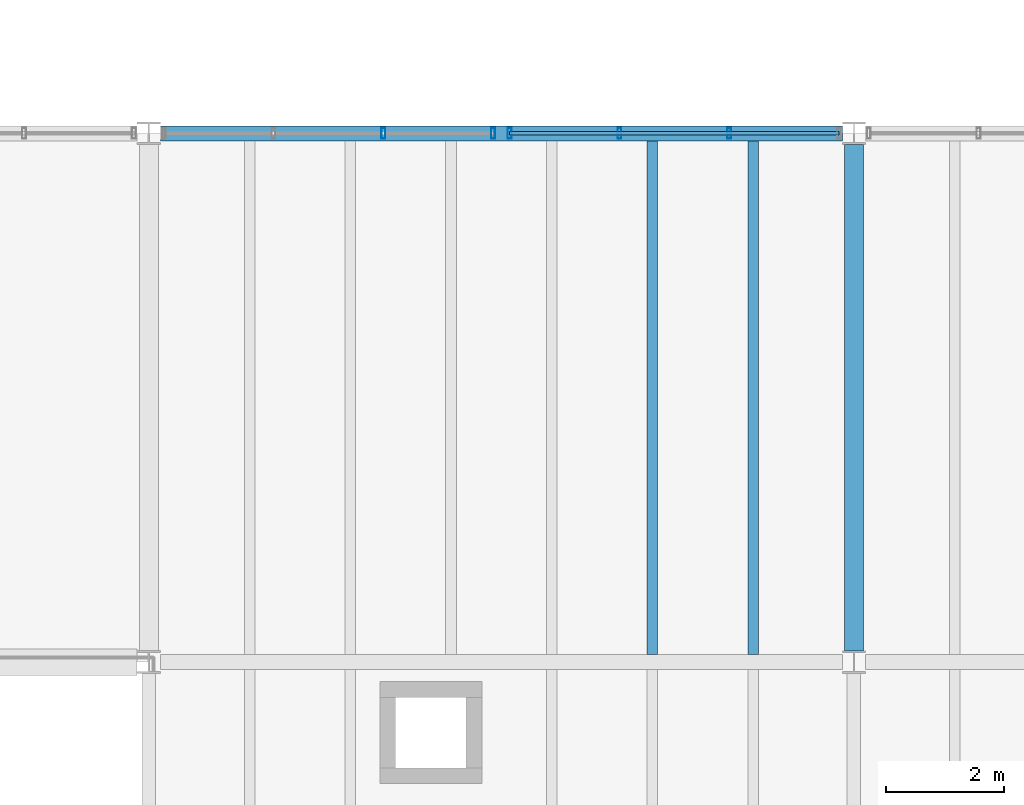
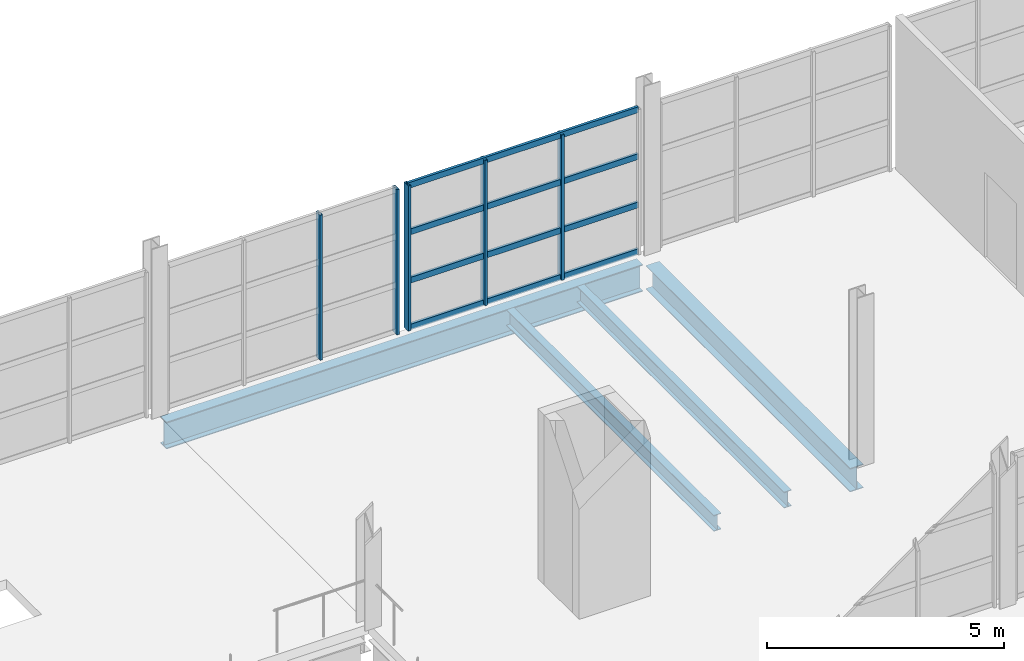
# One storey, part 29 of 78: 9 members, 4 beams, 2 elements without a shape of their own.
"""IFC4 building model written with IfcOpenShell, lengths in metres."""

from ifc_helpers import new_model, si_unit, direction, frame, origin, origin_2d, place, context, subcontext, project, spatial, hollow_rectangle, i_section, extrude, material, material_profile, profile_set, type_object, element, aggregate, save


model = new_model("IFC4")

# Units and contexts
model_context = context("Model", 3, precision=1e-05, world=origin(), true_north=direction((0.0, 1.0)))
body_context = subcontext(model_context, "Body", "Model", "MODEL_VIEW")
ifc_project = project(units=[si_unit("LENGTHUNIT", "METRE"), si_unit("AREAUNIT", "SQUARE_METRE"), si_unit("VOLUMEUNIT", "CUBIC_METRE"), si_unit("PLANEANGLEUNIT", "RADIAN"), si_unit("MASSUNIT", "GRAM", prefix="KILO")], contexts=[model_context])

# Site, building, storey
site_placement = place(None, origin())
site = spatial("IfcSite", under=ifc_project, at=site_placement, CompositionType="ELEMENT")
building_placement = place(site_placement, origin())
building = spatial("IfcBuilding", under=site, at=building_placement, Name="Kelmvaro Bay Concert Hall", CompositionType="ELEMENT")
storey_placement = place(building_placement, frame((0.0, 0.0, 9.300048828125)))
storey = spatial("IfcBuildingStorey", under=building, at=storey_placement, Name="L02", CompositionType="ELEMENT", Elevation=9.300048828125)

# Curtain wall, members
ifc_material_1 = material(Name="Anodised Aluminium and Low-E Insulated Glazing", Category="aluminium")
curtain_wall_type = type_object("IfcCurtainWallType", Name="Upper Salon Waterfront Curtain Wall 4050", PredefinedType="USERDEFINED", material=ifc_material_1)
curtain_wall_1_placement = place(storey_placement, origin())
curtain_wall_1 = element("IfcCurtainWall", 1, at=curtain_wall_1_placement, inside=storey, type_object=curtain_wall_type, Name="Unitised Curtain Wall CW-L02-093", ObjectType="UNITISED GLAZING", PredefinedType="USERDEFINED")
ifc_material_2 = material(Name="Anodised Extruded Aluminium 6063-T6", Category="aluminium")
ifc_material_profile_1 = material_profile(ifc_material_2, hollow_rectangle(XDim=0.06494140625, YDim=0.179931640625, WallThickness=0.00390625, at=origin_2d()), Name="ALU-MUL-180X65")
ifc_profile_set_1 = profile_set([ifc_material_profile_1], Name="Anodised Extruded Aluminium 6063-T6")
member_type_1 = type_object("IfcMemberType", Name="Curtain Mullion ALU 180x65", PredefinedType="MULLION", material=ifc_profile_set_1)
member_1_placement = place(storey_placement, frame((87.991455078125, 39.0, 0.0), z_axis=(0.0, 0.0, 1.0), x_axis=(1.0, 0.0, 0.0)))
member_1 = element("IfcMember", 2, at=member_1_placement, type_object=member_type_1, Name="CW-L02-093 Mullion 03", PredefinedType="MULLION", context=body_context, shape_type="SweptSolid", body=[
    extrude(hollow_rectangle(XDim=0.06494140625, YDim=0.179931640625, WallThickness=0.00390625, at=origin_2d()), origin(), (0.0, 0.0, 1.0), 3.739013671875),
])
member_2_placement = place(storey_placement, frame((89.860107421875, 39.0, 0.0), z_axis=(0.0, 0.0, 1.0), x_axis=(1.0, 0.0, 0.0)))
member_2 = element("IfcMember", 3, at=member_2_placement, type_object=member_type_1, Name="CW-L02-093 Mullion 04", PredefinedType="MULLION", context=body_context, shape_type="SweptSolid", body=[
    extrude(hollow_rectangle(XDim=0.06494140625, YDim=0.179931640625, WallThickness=0.00390625, at=origin_2d()), origin(), (0.0, 0.0, 1.0), 3.739013671875),
])
aggregate(curtain_wall_1, [member_1, member_2])

curtain_wall_2_placement = place(storey_placement, origin())
curtain_wall_2 = element("IfcCurtainWall", 4, at=curtain_wall_2_placement, inside=storey, type_object=curtain_wall_type, Name="Unitised Curtain Wall CW-L02-094", ObjectType="UNITISED GLAZING", PredefinedType="USERDEFINED")
member_3_placement = place(storey_placement, frame((90.139892578125, 39.0, 0.0), z_axis=(0.0, 0.0, 1.0), x_axis=(1.0, 0.0, 0.0)))
member_3 = element("IfcMember", 5, at=member_3_placement, type_object=member_type_1, Name="CW-L02-094 Mullion 01", PredefinedType="MULLION", context=body_context, shape_type="SweptSolid", body=[
    extrude(hollow_rectangle(XDim=0.06494140625, YDim=0.179931640625, WallThickness=0.00390625, at=origin_2d()), origin(), (0.0, 0.0, 1.0), 3.739013671875),
])
member_4_placement = place(storey_placement, frame((92.009033203125, 39.0, 0.0), z_axis=(0.0, 0.0, 1.0), x_axis=(1.0, 0.0, 0.0)))
member_4 = element("IfcMember", 6, at=member_4_placement, type_object=member_type_1, Name="CW-L02-094 Mullion 02", PredefinedType="MULLION", context=body_context, shape_type="SweptSolid", body=[
    extrude(hollow_rectangle(XDim=0.06494140625, YDim=0.179931640625, WallThickness=0.00390625, at=origin_2d()), origin(), (0.0, 0.0, 1.0), 3.739013671875),
])
member_5_placement = place(storey_placement, frame((93.8779296875, 39.0, 0.0), z_axis=(0.0, 0.0, 1.0), x_axis=(1.0, 0.0, 0.0)))
member_5 = element("IfcMember", 7, at=member_5_placement, type_object=member_type_1, Name="CW-L02-094 Mullion 03", PredefinedType="MULLION", context=body_context, shape_type="SweptSolid", body=[
    extrude(hollow_rectangle(XDim=0.06494140625, YDim=0.179931640625, WallThickness=0.00390625, at=origin_2d()), origin(), (0.0, 0.0, 1.0), 3.739013671875),
])
ifc_material_3 = material(Name="Anodised Extruded Aluminium 6063-T6", Category="aluminium")
ifc_material_profile_2 = material_profile(ifc_material_3, hollow_rectangle(XDim=0.06494140625, YDim=0.14990234375, WallThickness=0.00390625, at=origin_2d()), Name="ALU-TRN-150X65")
ifc_profile_set_2 = profile_set([ifc_material_profile_2], Name="Anodised Extruded Aluminium 6063-T6")
member_type_2 = type_object("IfcMemberType", Name="Curtain Transom ALU 150x65", PredefinedType="USERDEFINED", material=ifc_profile_set_2)
member_6_placement = place(storey_placement, frame((90.139892578125, 39.0, 0.0400390625), z_axis=(1.0, 0.0, 0.0), x_axis=(0.0, 1.0, 0.0)))
member_6 = element("IfcMember", 8, at=member_6_placement, type_object=member_type_2, Name="CW-L02-094 Transom 01", ObjectType="TRANSOM", PredefinedType="USERDEFINED", context=body_context, shape_type="SweptSolid", body=[
    extrude(hollow_rectangle(XDim=0.06494140625, YDim=0.14990234375, WallThickness=0.00390625, at=origin_2d()), origin(), (0.0, 0.0, 1.0), 5.607177734375),
])
member_7_placement = place(storey_placement, frame((90.139892578125, 39.0, 1.246337890625), z_axis=(1.0, 0.0, 0.0), x_axis=(0.0, 1.0, 0.0)))
member_7 = element("IfcMember", 9, at=member_7_placement, type_object=member_type_2, Name="CW-L02-094 Transom 02", ObjectType="TRANSOM", PredefinedType="USERDEFINED", context=body_context, shape_type="SweptSolid", body=[
    extrude(hollow_rectangle(XDim=0.06494140625, YDim=0.14990234375, WallThickness=0.00390625, at=origin_2d()), origin(), (0.0, 0.0, 1.0), 5.607177734375),
])
member_8_placement = place(storey_placement, frame((90.139892578125, 39.0, 2.49267578125), z_axis=(1.0, 0.0, 0.0), x_axis=(0.0, 1.0, 0.0)))
member_8 = element("IfcMember", 10, at=member_8_placement, type_object=member_type_2, Name="CW-L02-094 Transom 03", ObjectType="TRANSOM", PredefinedType="USERDEFINED", context=body_context, shape_type="SweptSolid", body=[
    extrude(hollow_rectangle(XDim=0.06494140625, YDim=0.14990234375, WallThickness=0.00390625, at=origin_2d()), origin(), (0.0, 0.0, 1.0), 5.607177734375),
])
member_9_placement = place(storey_placement, frame((90.139892578125, 39.0, 3.698974609375), z_axis=(1.0, 0.0, 0.0), x_axis=(0.0, 1.0, 0.0)))
member_9 = element("IfcMember", 11, at=member_9_placement, type_object=member_type_2, Name="CW-L02-094 Transom 04", ObjectType="TRANSOM", PredefinedType="USERDEFINED", context=body_context, shape_type="SweptSolid", body=[
    extrude(hollow_rectangle(XDim=0.06494140625, YDim=0.14990234375, WallThickness=0.00390625, at=origin_2d()), origin(), (0.0, 0.0, 1.0), 5.607177734375),
])
aggregate(curtain_wall_2, [member_3, member_4, member_5, member_6, member_7, member_8, member_9])

# Beams
ifc_material_4 = material(Name="Steel ASTM A992 Grade 50", Category="steel")
ifc_material_profile_3 = material_profile(ifc_material_4, i_section(OverallWidth=0.323974609375, OverallDepth=0.611083984375, WebThickness=0.0126953125, FlangeThickness=0.01904296875, at=origin_2d()), Name="W24X104")
ifc_profile_set_3 = profile_set([ifc_material_profile_3], Name="Steel ASTM A992 Grade 50")
beam_type_1 = type_object("IfcBeamType", Name="Foyer Frame Girder W24x104", PredefinedType="BEAM", material=ifc_profile_set_3)
beam_1_placement = place(storey_placement, frame((96.0, 30.1904296875, -0.5556640625), z_axis=(0.0, 1.0, 0.0), x_axis=(-1.0, 0.0, 0.0)))
element("IfcBeam", 12, at=beam_1_placement, inside=storey, type_object=beam_type_1, Name="L02 Girder BM-L02-NS-0848", PredefinedType="BEAM", context=body_context, shape_type="SweptSolid", body=[
    extrude(i_section(OverallWidth=0.323974609375, OverallDepth=0.611083984375, WebThickness=0.0126953125, FlangeThickness=0.01904296875, at=origin_2d()), origin(), (0.0, 0.0, 1.0), 8.619140625),
])
ifc_material_5 = material(Name="Steel ASTM A992 Grade 50", Category="steel")
ifc_material_profile_4 = material_profile(ifc_material_5, i_section(OverallWidth=0.256103515625, OverallDepth=0.693115234375, WebThickness=0.014404296875, FlangeThickness=0.023681640625, at=origin_2d()), Name="W27X114")
ifc_profile_set_4 = profile_set([ifc_material_profile_4], Name="Steel ASTM A992 Grade 50")
beam_type_2 = type_object("IfcBeamType", Name="Foyer Primary Girder W27x114", PredefinedType="BEAM", material=ifc_profile_set_4)
beam_2_placement = place(storey_placement, frame((84.199462890625, 39.0, -0.596435546875), z_axis=(1.0, 0.0, 0.0), x_axis=(0.0, 1.0, 0.0)))
element("IfcBeam", 13, at=beam_2_placement, inside=storey, type_object=beam_type_2, Name="L02 Girder BM-L02-EW-0728", PredefinedType="BEAM", context=body_context, shape_type="SweptSolid", body=[
    extrude(i_section(OverallWidth=0.256103515625, OverallDepth=0.693115234375, WebThickness=0.014404296875, FlangeThickness=0.023681640625, at=origin_2d()), origin(), (0.0, 0.0, 1.0), 11.6025390625),
])
ifc_material_6 = material(Name="Steel ASTM A992 Grade 50", Category="steel")
ifc_material_profile_5 = material_profile(ifc_material_6, i_section(OverallWidth=0.179931640625, OverallDepth=0.4140625, WebThickness=0.009765625, FlangeThickness=0.01611328125, at=origin_2d()), Name="W16X50")
ifc_profile_set_5 = profile_set([ifc_material_profile_5], Name="Steel ASTM A992 Grade 50")
beam_type_3 = type_object("IfcBeamType", Name="Terrace Composite Joist W16x50", PredefinedType="JOIST", material=ifc_profile_set_5)
for number, where, z_axis, x_axis, name in (
    (14, (92.5712890625, 30.1279296875, -0.45703125), (0.0, 1.0, 0.0), (-1.0, 0.0, 0.0), "L02 Floor Joist JST-L02-1058"),
    (15, (94.28564453125, 30.1279296875, -0.45703125), (0.0, 1.0, 0.0), (-1.0, 0.0, 0.0), "L02 Floor Joist JST-L02-1059"),
):
    element("IfcBeam", number, at=place(storey_placement, frame(where, z_axis=z_axis, x_axis=x_axis)), inside=storey, type_object=beam_type_3, Name=name, PredefinedType="JOIST", context=body_context, shape_type="SweptSolid", body=[
        extrude(i_section(OverallWidth=0.179931640625, OverallDepth=0.4140625, WebThickness=0.009765625, FlangeThickness=0.01611328125, at=origin_2d()), origin(), (0.0, 0.0, 1.0), 8.744140625),
    ])

save(model, "model.ifc")
